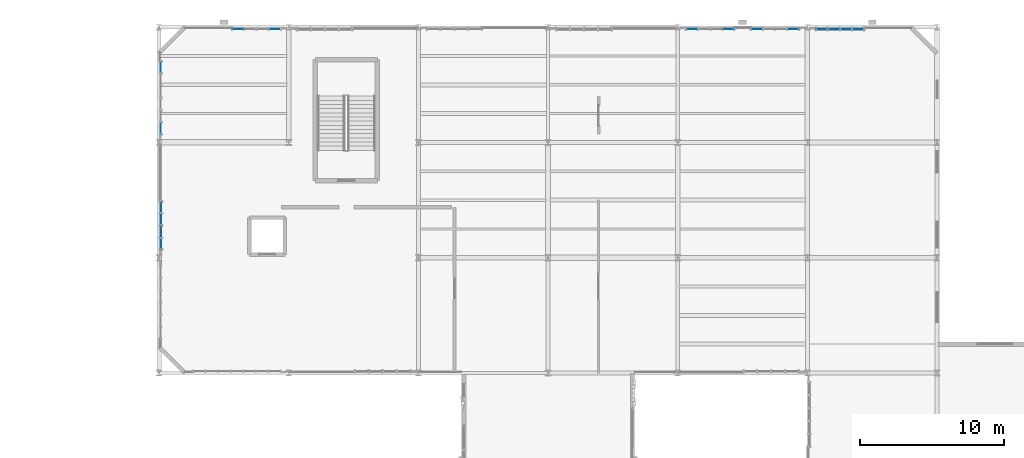
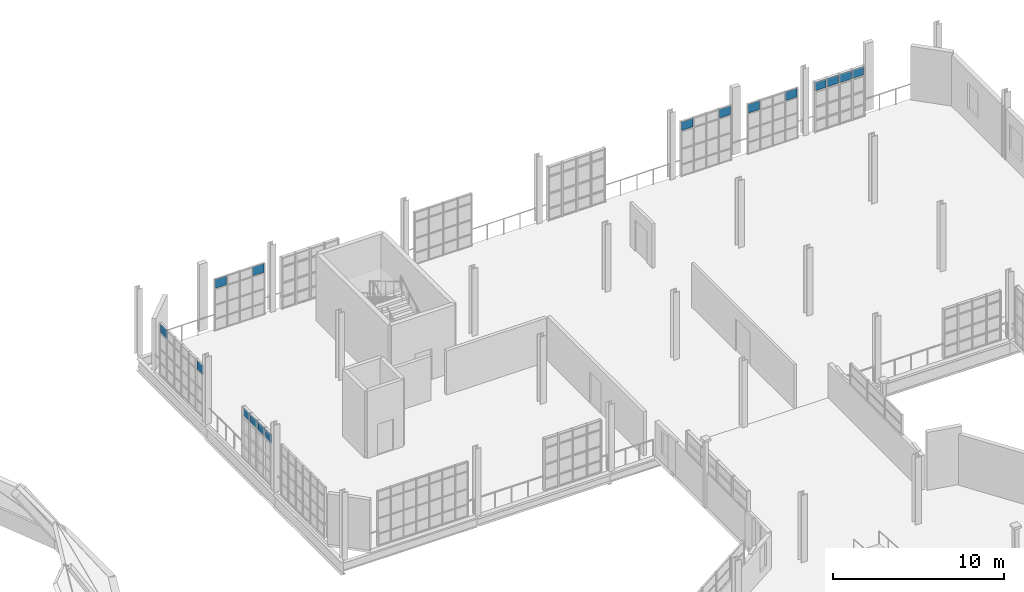
# One storey, part 102 of 118: 16 plates, 6 elements without a shape of their own.
"""IFC4 building model written with IfcOpenShell, lengths in metres."""

from ifc_helpers import new_model, si_unit, direction, frame, origin, origin_2d, place, context, subcontext, project, spatial, rectangle, extrude, material, layer, layer_set, type_object, element, aggregate, save


model = new_model("IFC4")

# Units and contexts
model_context = context("Model", 3, precision=1e-05, world=origin(), true_north=direction((0.0, 1.0)))
body_context = subcontext(model_context, "Body", "Model", "MODEL_VIEW")
ifc_project = project(units=[si_unit("LENGTHUNIT", "METRE"), si_unit("AREAUNIT", "SQUARE_METRE"), si_unit("VOLUMEUNIT", "CUBIC_METRE"), si_unit("PLANEANGLEUNIT", "RADIAN"), si_unit("MASSUNIT", "GRAM", prefix="KILO"), si_unit("THERMODYNAMICTEMPERATUREUNIT", "KELVIN"), si_unit("POWERUNIT", "WATT")], contexts=[model_context])

# Site, building, storey
site_placement = place(None, origin())
site = spatial("IfcSite", under=ifc_project, at=site_placement, CompositionType="ELEMENT")
building_placement = place(site_placement, origin())
building = spatial("IfcBuilding", under=site, at=building_placement, Name="Zelmaris Science Centre", CompositionType="ELEMENT")
storey_placement = place(building_placement, frame((0.0, 0.0, 15.60009765625)))
storey = spatial("IfcBuildingStorey", under=building, at=storey_placement, Name="L03", CompositionType="ELEMENT", Elevation=15.60009765625)

# Curtain wall, plates
ifc_material_1 = material(Name="Anodised architectural aluminium 6063-T6", Category="aluminium")
ifc_layer_1 = layer(ifc_material_1, 0.18994140625, Name="Anodised architectural aluminium 6063-T6")
ifc_layer_set_1 = layer_set([ifc_layer_1], Name="Anodised architectural aluminium 6063-T6")
curtain_wall_type_1 = type_object("IfcCurtainWallType", Name="Curtain Wall CW-01", PredefinedType="USERDEFINED", material=ifc_layer_set_1)
curtain_wall_1_placement = place(storey_placement, origin())
curtain_wall_1 = element("IfcCurtainWall", 1, at=curtain_wall_1_placement, inside=storey, type_object=curtain_wall_type_1, Name="L03 Unitised curtain wall 277", ObjectType="GLAZED CURTAIN WALL", PredefinedType="USERDEFINED")
ifc_material_2 = material(Name="Laminated hurricane-rated low-E insulated glazing", Category="glass")
ifc_layer_2 = layer(ifc_material_2, 0.031982421875, Name="Laminated hurricane-rated low-E insulated glazing")
ifc_layer_set_2 = layer_set([ifc_layer_2], Name="Laminated hurricane-rated low-E insulated glazing")
plate_type_1 = type_object("IfcPlateType", Name="Curtain Glazing Panel CWP-1 32mm", PredefinedType="CURTAIN_PANEL", material=ifc_layer_set_2)
plate_1_placement = place(storey_placement, frame((54.1201171875, 72.98291015625, 2.93896484375), z_axis=(0.0, 0.0, 1.0), x_axis=(0.0, 1.0, 0.0)))
plate_1 = element("IfcPlate", 2, at=plate_1_placement, type_object=plate_type_1, Name="CW-01 panel 1.4", PredefinedType="CURTAIN_PANEL", context=body_context, shape_type="SweptSolid", body=[
    extrude(rectangle(XDim=0.741943359375, YDim=0.031982421875, at=origin_2d()), origin(), (0.0, 0.0, 1.0), 0.592041015625),
])
plate_2_placement = place(storey_placement, frame((54.1201171875, 73.81494140625, 2.93896484375), z_axis=(0.0, 0.0, 1.0), x_axis=(0.0, 1.0, 0.0)))
plate_2 = element("IfcPlate", 3, at=plate_2_placement, type_object=plate_type_1, Name="CW-01 panel 2.4", PredefinedType="CURTAIN_PANEL", context=body_context, shape_type="SweptSolid", body=[
    extrude(rectangle(XDim=0.778076171875, YDim=0.031982421875, at=origin_2d()), origin(), (0.0, 0.0, 1.0), 0.592041015625),
])
plate_3_placement = place(storey_placement, frame((54.1201171875, 74.6650390625, 2.93896484375), z_axis=(0.0, 0.0, 1.0), x_axis=(0.0, 1.0, 0.0)))
plate_3 = element("IfcPlate", 4, at=plate_3_placement, type_object=plate_type_1, Name="CW-01 panel 3.4", PredefinedType="CURTAIN_PANEL", context=body_context, shape_type="SweptSolid", body=[
    extrude(rectangle(XDim=0.778076171875, YDim=0.031982421875, at=origin_2d()), origin(), (0.0, 0.0, 1.0), 0.592041015625),
])
plate_4_placement = place(storey_placement, frame((54.1201171875, 75.4970703125, 2.93896484375), z_axis=(0.0, 0.0, 1.0), x_axis=(0.0, 1.0, 0.0)))
plate_4 = element("IfcPlate", 5, at=plate_4_placement, type_object=plate_type_1, Name="CW-01 panel 4.4", PredefinedType="CURTAIN_PANEL", context=body_context, shape_type="SweptSolid", body=[
    extrude(rectangle(XDim=0.741943359375, YDim=0.031982421875, at=origin_2d()), origin(), (0.0, 0.0, 1.0), 0.592041015625),
])
aggregate(curtain_wall_1, [plate_1, plate_2, plate_3, plate_4])

curtain_wall_2_placement = place(storey_placement, origin())
curtain_wall_2 = element("IfcCurtainWall", 6, at=curtain_wall_2_placement, inside=storey, type_object=curtain_wall_type_1, Name="L03 Unitised curtain wall 289", ObjectType="GLAZED CURTAIN WALL", PredefinedType="USERDEFINED")
plate_5_placement = place(storey_placement, frame((99.985595703125, 87.8798828125, 2.923828125), z_axis=(0.0, 0.0, 1.0), x_axis=(1.0, 0.0, 0.0)))
plate_5 = element("IfcPlate", 7, at=plate_5_placement, type_object=plate_type_1, Name="CW-01 panel 1.4", PredefinedType="CURTAIN_PANEL", context=body_context, shape_type="SweptSolid", body=[
    extrude(rectangle(XDim=0.7470703125, YDim=0.031982421875, at=origin_2d()), origin(), (0.0, 0.0, 1.0), 0.592041015625),
])
plate_6_placement = place(storey_placement, frame((100.822509765625, 87.8798828125, 2.923828125), z_axis=(0.0, 0.0, 1.0), x_axis=(1.0, 0.0, 0.0)))
plate_6 = element("IfcPlate", 8, at=plate_6_placement, type_object=plate_type_1, Name="CW-01 panel 2.4", PredefinedType="CURTAIN_PANEL", context=body_context, shape_type="SweptSolid", body=[
    extrude(rectangle(XDim=0.782958984375, YDim=0.031982421875, at=origin_2d()), origin(), (0.0, 0.0, 1.0), 0.592041015625),
])
plate_7_placement = place(storey_placement, frame((101.677490234375, 87.8798828125, 2.923828125), z_axis=(0.0, 0.0, 1.0), x_axis=(1.0, 0.0, 0.0)))
plate_7 = element("IfcPlate", 9, at=plate_7_placement, type_object=plate_type_1, Name="CW-01 panel 3.4", PredefinedType="CURTAIN_PANEL", context=body_context, shape_type="SweptSolid", body=[
    extrude(rectangle(XDim=0.782958984375, YDim=0.031982421875, at=origin_2d()), origin(), (0.0, 0.0, 1.0), 0.592041015625),
])
plate_8_placement = place(storey_placement, frame((102.514404296875, 87.8798828125, 2.923828125), z_axis=(0.0, 0.0, 1.0), x_axis=(1.0, 0.0, 0.0)))
plate_8 = element("IfcPlate", 10, at=plate_8_placement, type_object=plate_type_1, Name="CW-01 panel 4.4", PredefinedType="CURTAIN_PANEL", context=body_context, shape_type="SweptSolid", body=[
    extrude(rectangle(XDim=0.7470703125, YDim=0.031982421875, at=origin_2d()), origin(), (0.0, 0.0, 1.0), 0.592041015625),
])
aggregate(curtain_wall_2, [plate_5, plate_6, plate_7, plate_8])

ifc_layer_3 = layer(ifc_material_1, 0.2099609375, Name="Anodised architectural aluminium 6063-T6")
ifc_layer_set_3 = layer_set([ifc_layer_3], Name="Anodised architectural aluminium 6063-T6")
curtain_wall_type_2 = type_object("IfcCurtainWallType", Name="Curtain Wall CW-03", PredefinedType="USERDEFINED", material=ifc_layer_set_3)
curtain_wall_3_placement = place(storey_placement, origin())
curtain_wall_3 = element("IfcCurtainWall", 11, at=curtain_wall_3_placement, inside=storey, type_object=curtain_wall_type_2, Name="L03 Unitised curtain wall 279", ObjectType="GLAZED CURTAIN WALL", PredefinedType="USERDEFINED")
ifc_layer_4 = layer(ifc_material_2, 0.02587890625, Name="Laminated hurricane-rated low-E insulated glazing")
ifc_layer_set_4 = layer_set([ifc_layer_4], Name="Laminated hurricane-rated low-E insulated glazing")
plate_type_2 = type_object("IfcPlateType", Name="Curtain Glazing Panel CWP-3 26mm", PredefinedType="CURTAIN_PANEL", material=ifc_layer_set_4)
plate_9_placement = place(storey_placement, frame((54.1201171875, 80.98095703125, 2.982421875), z_axis=(0.0, 0.0, 1.0), x_axis=(0.0, 1.0, 0.0)))
plate_9 = element("IfcPlate", 12, at=plate_9_placement, type_object=plate_type_2, Name="CW-03 panel 1.4", PredefinedType="CURTAIN_PANEL", context=body_context, shape_type="SweptSolid", body=[
    extrude(rectangle(XDim=0.767822265625, YDim=0.02587890625, at=origin_2d()), origin(), (0.0, 0.0, 1.0), 0.614501953125),
])
plate_10_placement = place(storey_placement, frame((54.1201171875, 85.218994140625, 2.982421875), z_axis=(0.0, 0.0, 1.0), x_axis=(0.0, 1.0, 0.0)))
plate_10 = element("IfcPlate", 13, at=plate_10_placement, type_object=plate_type_2, Name="CW-03 panel 6.4", PredefinedType="CURTAIN_PANEL", context=body_context, shape_type="SweptSolid", body=[
    extrude(rectangle(XDim=0.767822265625, YDim=0.02587890625, at=origin_2d()), origin(), (0.0, 0.0, 1.0), 0.614501953125),
])
aggregate(curtain_wall_3, [plate_9, plate_10])

curtain_wall_4_placement = place(storey_placement, origin())
curtain_wall_4 = element("IfcCurtainWall", 14, at=curtain_wall_4_placement, inside=storey, type_object=curtain_wall_type_2, Name="L03 Unitised curtain wall 287", ObjectType="GLAZED CURTAIN WALL", PredefinedType="USERDEFINED")
plate_11_placement = place(storey_placement, frame((90.981689453125, 87.8798828125, 3.24462890625), z_axis=(0.0, 0.0, 1.0), x_axis=(1.0, 0.0, 0.0)))
plate_11 = element("IfcPlate", 15, at=plate_11_placement, type_object=plate_type_2, Name="CW-03 panel 1.4", PredefinedType="CURTAIN_PANEL", context=body_context, shape_type="SweptSolid", body=[
    extrude(rectangle(XDim=0.76953125, YDim=0.02587890625, at=origin_2d()), origin(), (0.0, 0.0, 1.0), 0.614501953125),
])
plate_12_placement = place(storey_placement, frame((93.518310546875, 87.8798828125, 3.24462890625), z_axis=(0.0, 0.0, 1.0), x_axis=(1.0, 0.0, 0.0)))
plate_12 = element("IfcPlate", 16, at=plate_12_placement, type_object=plate_type_2, Name="CW-03 panel 4.4", PredefinedType="CURTAIN_PANEL", context=body_context, shape_type="SweptSolid", body=[
    extrude(rectangle(XDim=0.76953125, YDim=0.02587890625, at=origin_2d()), origin(), (0.0, 0.0, 1.0), 0.614501953125),
])
aggregate(curtain_wall_4, [plate_11, plate_12])

ifc_layer_5 = layer(ifc_material_1, 0.219970703125, Name="Anodised architectural aluminium 6063-T6")
ifc_layer_set_5 = layer_set([ifc_layer_5], Name="Anodised architectural aluminium 6063-T6")
curtain_wall_type_3 = type_object("IfcCurtainWallType", Name="Curtain Wall CW-04", PredefinedType="USERDEFINED", material=ifc_layer_set_5)
curtain_wall_5_placement = place(storey_placement, origin())
curtain_wall_5 = element("IfcCurtainWall", 17, at=curtain_wall_5_placement, inside=storey, type_object=curtain_wall_type_3, Name="L03 Unitised curtain wall 280", ObjectType="GLAZED CURTAIN WALL", PredefinedType="USERDEFINED")
ifc_layer_6 = layer(ifc_material_2, 0.02392578125, Name="Laminated hurricane-rated low-E insulated glazing")
ifc_layer_set_6 = layer_set([ifc_layer_6], Name="Laminated hurricane-rated low-E insulated glazing")
plate_type_3 = type_object("IfcPlateType", Name="Curtain Glazing Panel CWP-4 24mm", PredefinedType="CURTAIN_PANEL", material=ifc_layer_set_6)
plate_13_placement = place(storey_placement, frame((59.48046875, 87.8798828125, 3.0048828125), z_axis=(0.0, 0.0, 1.0), x_axis=(1.0, 0.0, 0.0)))
plate_13 = element("IfcPlate", 18, at=plate_13_placement, type_object=plate_type_3, Name="CW-04 panel 1.4", PredefinedType="CURTAIN_PANEL", context=body_context, shape_type="SweptSolid", body=[
    extrude(rectangle(XDim=0.777099609375, YDim=0.02392578125, at=origin_2d()), origin(), (0.0, 0.0, 1.0), 0.6220703125),
])
plate_14_placement = place(storey_placement, frame((62.01953125, 87.8798828125, 3.0048828125), z_axis=(0.0, 0.0, 1.0), x_axis=(1.0, 0.0, 0.0)))
plate_14 = element("IfcPlate", 19, at=plate_14_placement, type_object=plate_type_3, Name="CW-04 panel 4.4", PredefinedType="CURTAIN_PANEL", context=body_context, shape_type="SweptSolid", body=[
    extrude(rectangle(XDim=0.777099609375, YDim=0.02392578125, at=origin_2d()), origin(), (0.0, 0.0, 1.0), 0.6220703125),
])
aggregate(curtain_wall_5, [plate_13, plate_14])

curtain_wall_6_placement = place(storey_placement, origin())
curtain_wall_6 = element("IfcCurtainWall", 20, at=curtain_wall_6_placement, inside=storey, type_object=curtain_wall_type_3, Name="L03 Unitised curtain wall 288", ObjectType="GLAZED CURTAIN WALL", PredefinedType="USERDEFINED")
plate_15_placement = place(storey_placement, frame((95.48046875, 87.8798828125, 2.913818359375), z_axis=(0.0, 0.0, 1.0), x_axis=(1.0, 0.0, 0.0)))
plate_15 = element("IfcPlate", 21, at=plate_15_placement, type_object=plate_type_3, Name="CW-04 panel 1.4", PredefinedType="CURTAIN_PANEL", context=body_context, shape_type="SweptSolid", body=[
    extrude(rectangle(XDim=0.777099609375, YDim=0.02392578125, at=origin_2d()), origin(), (0.0, 0.0, 1.0), 0.6220703125),
])
plate_16_placement = place(storey_placement, frame((98.01953125, 87.8798828125, 2.913818359375), z_axis=(0.0, 0.0, 1.0), x_axis=(1.0, 0.0, 0.0)))
plate_16 = element("IfcPlate", 22, at=plate_16_placement, type_object=plate_type_3, Name="CW-04 panel 4.4", PredefinedType="CURTAIN_PANEL", context=body_context, shape_type="SweptSolid", body=[
    extrude(rectangle(XDim=0.777099609375, YDim=0.02392578125, at=origin_2d()), origin(), (0.0, 0.0, 1.0), 0.6220703125),
])
aggregate(curtain_wall_6, [plate_15, plate_16])

save(model, "model.ifc")
